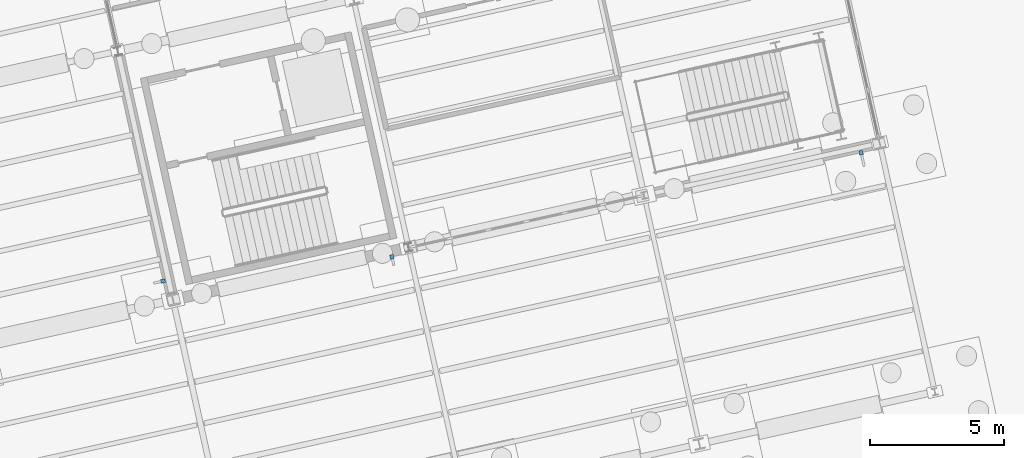
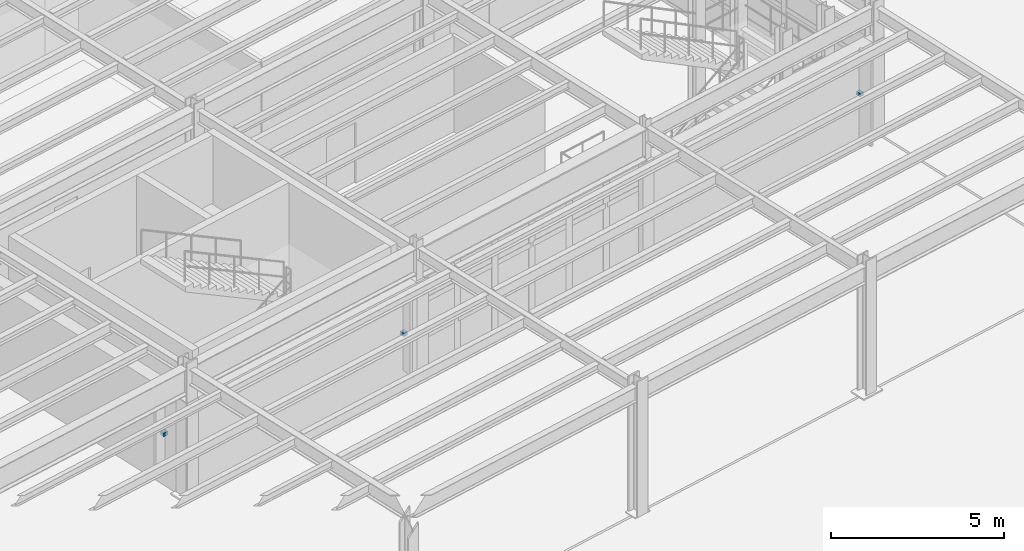
# One storey, part 97 of 108: 3 discrete accessories.
"""IFC4 building model written with IfcOpenShell, lengths in metres."""

from ifc_helpers import new_model, si_unit, direction, frame, origin, origin_2d, place, context, subcontext, project, spatial, rectangle, extrude, material, type_object, element, save


model = new_model("IFC4")

# Units and contexts
model_context = context("Model", 3, precision=1e-05, world=origin(), true_north=direction((0.0, 1.0)))
body_context = subcontext(model_context, "Body", "Model", "MODEL_VIEW")
ifc_project = project(units=[si_unit("LENGTHUNIT", "METRE"), si_unit("AREAUNIT", "SQUARE_METRE"), si_unit("VOLUMEUNIT", "CUBIC_METRE"), si_unit("PLANEANGLEUNIT", "RADIAN"), si_unit("MASSUNIT", "GRAM", prefix="KILO")], contexts=[model_context])

# Site, building, storey
site_placement = place(None, origin())
site = spatial("IfcSite", under=ifc_project, at=site_placement, CompositionType="ELEMENT")
building_placement = place(site_placement, origin())
building = spatial("IfcBuilding", under=site, at=building_placement, Name="Vireo Bluff Cable Station", CompositionType="ELEMENT")
storey_placement = place(building_placement, origin())
storey = spatial("IfcBuildingStorey", under=building, at=storey_placement, Name="L00", CompositionType="ELEMENT", Elevation=0.0)

# Discrete accessories
ifc_material = material(Name="Stainless Steel 316", Category="steel")
discrete_accessory_type = type_object("IfcDiscreteAccessoryType", Name="FACADE-BRACKET-01", PredefinedType="BRACKET", material=ifc_material)
for number, where, z_axis, x_axis, name in (
    (1, (158.399169921875, 90.70849609375, 1.7900390625), (0.0, 0.0, 1.0), (-0.976296000045, -0.216439645853, 0.0), "V2 L00 solar fin bracket 11"),
    (2, (140.898681640625, 86.82373046875, 1.7900390625), (0.0, 0.0, 1.0), (-0.976296028388, -0.216439518005, 0.0), "V2 L00 solar fin bracket 12"),
    (3, (132.36083984375, 85.919677734375, 1.7900390625), (0.0, 0.0, 1.0), (-0.216439644098, 0.976296000434, 0.0), "V2 L00 solar fin bracket 13"),
):
    element("IfcDiscreteAccessory", number, at=place(storey_placement, frame(where, z_axis=z_axis, x_axis=x_axis)), inside=storey, type_object=discrete_accessory_type, Name=name, PredefinedType="BRACKET", context=body_context, shape_type="SweptSolid", body=[
        extrude(rectangle(XDim=0.139892578125, YDim=0.159912109375, at=origin_2d()), origin(), (0.0, 0.0, 1.0), 0.1201171875),
    ])

save(model, "model.ifc")
